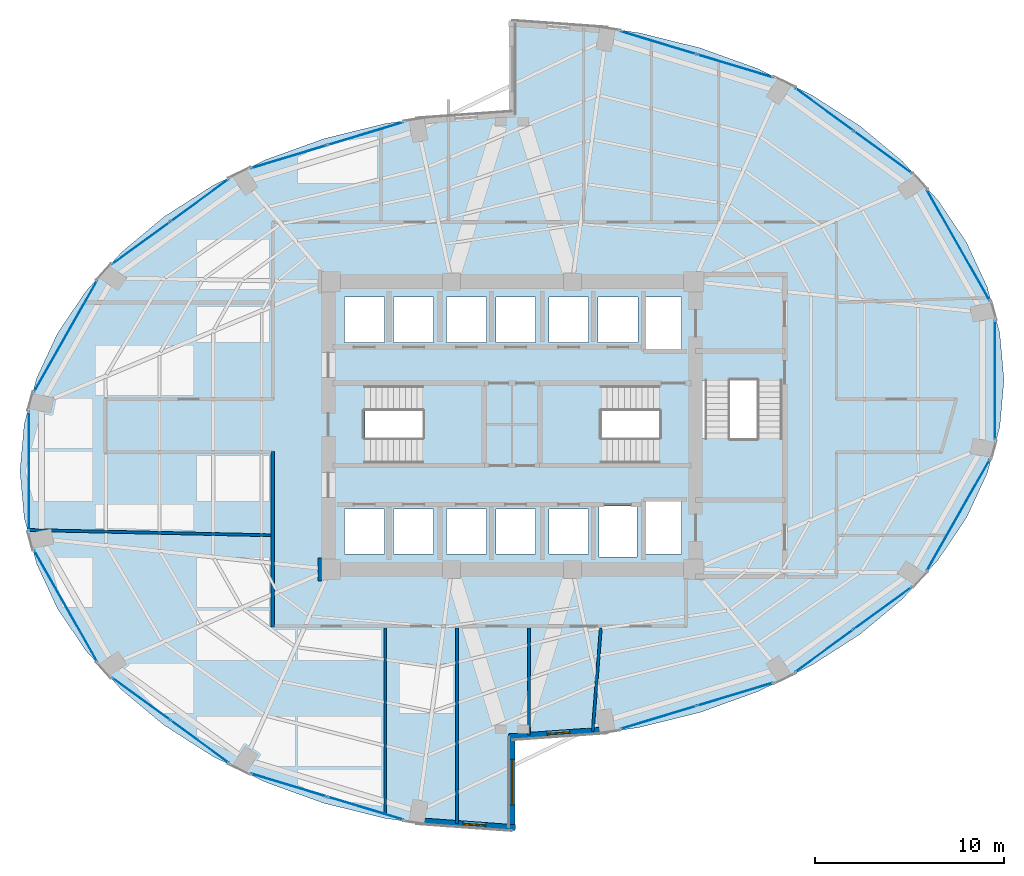
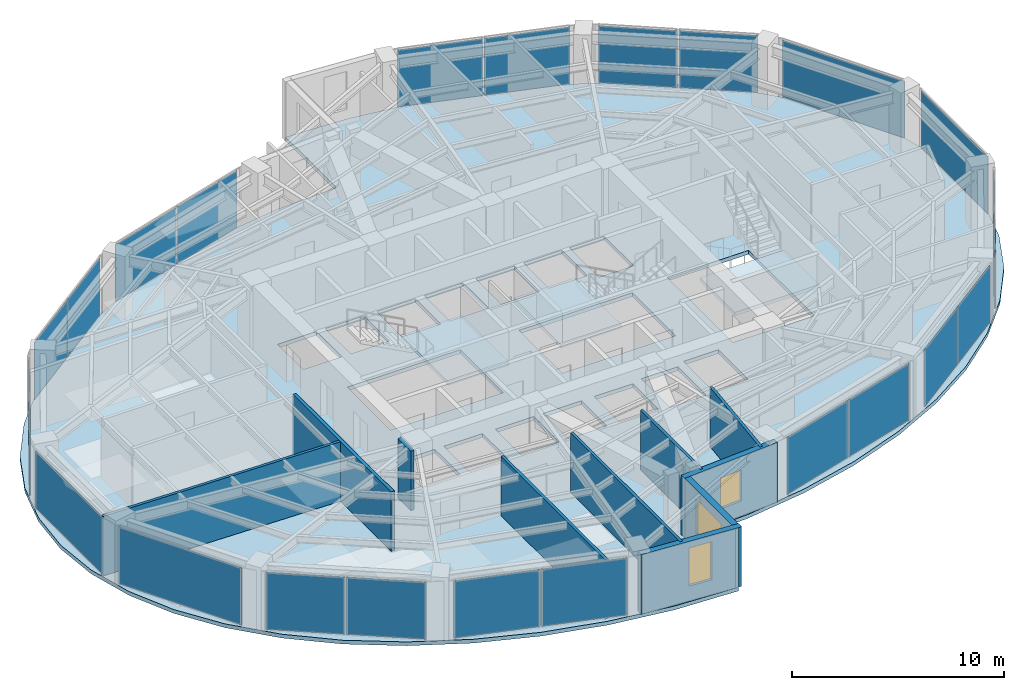
# One storey, part 18 of 23: 22 plates, 10 walls, 4 slabs, 3 windows, 3 openings, 17 elements without a shape of their own.
"""IFC4 building model written with IfcOpenShell, lengths in metres."""

from ifc_helpers import new_model, si_unit, direction, frame, frame_2d, origin, origin_2d, place, context, subcontext, project, spatial, polyline, rectangle, outline, extrude, material, layer, layer_set, type_object, element, fill, aggregate, save


model = new_model("IFC4")

# Units and contexts
model_context = context("Model", 3, precision=1e-05, world=origin(), true_north=direction((0.0, 1.0)))
body_context = subcontext(model_context, "Body", "Model", "MODEL_VIEW")
ifc_project = project(units=[si_unit("LENGTHUNIT", "METRE"), si_unit("AREAUNIT", "SQUARE_METRE"), si_unit("VOLUMEUNIT", "CUBIC_METRE"), si_unit("PLANEANGLEUNIT", "RADIAN"), si_unit("MASSUNIT", "GRAM", prefix="KILO")], contexts=[model_context])

# Site, building, storey
site_placement = place(None, origin())
site = spatial("IfcSite", under=ifc_project, at=site_placement, CompositionType="ELEMENT")
building_placement = place(site_placement, origin())
building = spatial("IfcBuilding", under=site, at=building_placement, Name="Lazwardi Medical Tower", CompositionType="ELEMENT")
storey_placement = place(building_placement, frame((0.0, 0.0, 89.0400390625)))
storey = spatial("IfcBuildingStorey", under=building, at=storey_placement, Name="L22", CompositionType="ELEMENT", Elevation=89.0400390625)

# Curtain wall, plates
ifc_material_1 = material(Name="Anodised bronze aluminium and solar control glazing", Category="aluminium")
ifc_layer_1 = layer(ifc_material_1, 0.195068359375)
ifc_layer_set_1 = layer_set([ifc_layer_1], Name="Anodised bronze aluminium and solar control glazing")
curtain_wall_type = type_object("IfcCurtainWallType", Name="CW-SYS-03", PredefinedType="NOTDEFINED", material=ifc_layer_set_1)
curtain_wall_1_placement = place(storey_placement, origin())
curtain_wall_1 = element("IfcCurtainWall", 1, at=curtain_wall_1_placement, inside=storey, type_object=curtain_wall_type, Name="L22 Unitised bronze curtain wall CW-03", PredefinedType="NOTDEFINED")
ifc_material_2 = material(Name="Low-e bronze solar control double glazing", Category="glass")
ifc_layer_2 = layer(ifc_material_2, 0.035888671875)
ifc_layer_set_2 = layer_set([ifc_layer_2], Name="Low-e bronze solar control double glazing")
plate_type = type_object("IfcPlateType", Name="PLT-GLZ-01", PredefinedType="CURTAIN_PANEL", material=ifc_layer_set_2)
plate_1_placement = place(storey_placement, frame((43.73974609375, 12.573486328125, 0.07470703125), z_axis=(0.0, 0.0, 1.0), x_axis=(0.957216170558, 0.28937381157, 0.0)))
plate_1 = element("IfcPlate", 2, at=plate_1_placement, type_object=plate_type, Name="CW-03 panel 1.1", PredefinedType="CURTAIN_PANEL", context=body_context, shape_type="SweptSolid", body=[
    extrude(rectangle(XDim=4.16552734375, YDim=0.035888671875, at=origin_2d()), origin(), (0.0, 0.0, 1.0), 3.278076171875),
])
plate_2_placement = place(storey_placement, frame((47.798828125, 13.800537109375, 0.07470703125), z_axis=(0.0, 0.0, 1.0), x_axis=(0.957216170558, 0.28937381157, 0.0)))
plate_2 = element("IfcPlate", 3, at=plate_2_placement, type_object=plate_type, Name="CW-03 panel 2.1", PredefinedType="CURTAIN_PANEL", context=body_context, shape_type="SweptSolid", body=[
    extrude(rectangle(XDim=4.16552734375, YDim=0.035888671875, at=origin_2d()), origin(), (0.0, 0.0, 1.0), 3.278076171875),
])
aggregate(curtain_wall_1, [plate_1, plate_2])

curtain_wall_2_placement = place(storey_placement, origin())
curtain_wall_2 = element("IfcCurtainWall", 4, at=curtain_wall_2_placement, inside=storey, type_object=curtain_wall_type, Name="L22 Unitised bronze curtain wall CW-03", PredefinedType="NOTDEFINED")
plate_3_placement = place(storey_placement, frame((52.4990234375, 16.093017578125, 0.07470703125), z_axis=(0.0, 0.0, 1.0), x_axis=(0.807745837639, 0.589530882802, 0.0)))
plate_3 = element("IfcPlate", 5, at=plate_3_placement, type_object=plate_type, Name="CW-03 panel 1.1", PredefinedType="CURTAIN_PANEL", context=body_context, shape_type="SweptSolid", body=[
    extrude(rectangle(XDim=3.767578125, YDim=0.035888671875, at=origin_2d()), origin(), (0.0, 0.0, 1.0), 3.278076171875),
])
plate_4_placement = place(storey_placement, frame((55.60302734375, 18.3583984375, 0.07470703125), z_axis=(0.0, 0.0, 1.0), x_axis=(0.807745837639, 0.589530882802, 0.0)))
plate_4 = element("IfcPlate", 6, at=plate_4_placement, type_object=plate_type, Name="CW-03 panel 2.1", PredefinedType="CURTAIN_PANEL", context=body_context, shape_type="SweptSolid", body=[
    extrude(rectangle(XDim=3.767578125, YDim=0.035888671875, at=origin_2d()), origin(), (0.0, 0.0, 1.0), 3.278076171875),
])
aggregate(curtain_wall_2, [plate_3, plate_4])

# Curtain wall, plate
curtain_wall_3_placement = place(storey_placement, origin())
curtain_wall_3 = element("IfcCurtainWall", 7, at=curtain_wall_3_placement, inside=storey, type_object=curtain_wall_type, Name="L22 Unitised bronze curtain wall CW-03", PredefinedType="NOTDEFINED")
plate_5_placement = place(storey_placement, frame((59.5849609375, 23.270263671875, 0.07470703125), z_axis=(0.0, 0.0, 1.0), x_axis=(0.493603140041, 0.869687265712, 0.0)))
plate_5 = element("IfcPlate", 8, at=plate_5_placement, type_object=plate_type, Name="CW-03 panel 1.1", PredefinedType="CURTAIN_PANEL", context=body_context, shape_type="SweptSolid", body=[
    extrude(rectangle(XDim=6.722900390625, YDim=0.035888671875, at=origin_2d()), origin(), (0.0, 0.0, 1.0), 3.278076171875),
])
aggregate(curtain_wall_3, [plate_5])

curtain_wall_4_placement = place(storey_placement, origin())
curtain_wall_4 = element("IfcCurtainWall", 9, at=curtain_wall_4_placement, inside=storey, type_object=curtain_wall_type, Name="L22 Unitised bronze curtain wall CW-03", PredefinedType="NOTDEFINED")
plate_6_placement = place(storey_placement, frame((61.528076171875, 30.39990234375, 0.07470703125), z_axis=(0.0, 0.0, 1.0), x_axis=(0.0, 1.0, 0.0)))
plate_6 = element("IfcPlate", 10, at=plate_6_placement, type_object=plate_type, Name="CW-03 panel 1.1", PredefinedType="CURTAIN_PANEL", context=body_context, shape_type="SweptSolid", body=[
    extrude(rectangle(XDim=6.31982421875, YDim=0.035888671875, at=origin_2d()), origin(), (0.0, 0.0, 1.0), 3.278076171875),
])
aggregate(curtain_wall_4, [plate_6])

curtain_wall_5_placement = place(storey_placement, origin())
curtain_wall_5 = element("IfcCurtainWall", 11, at=curtain_wall_5_placement, inside=storey, type_object=curtain_wall_type, Name="L22 Unitised bronze curtain wall CW-03", PredefinedType="NOTDEFINED")
plate_7_placement = place(storey_placement, frame((59.5849609375, 37.52978515625, 0.07470703125), z_axis=(0.0, 0.0, 1.0), x_axis=(-0.493603140041, 0.869687265712, 0.0)))
plate_7 = element("IfcPlate", 12, at=plate_7_placement, type_object=plate_type, Name="CW-03 panel 1.1", PredefinedType="CURTAIN_PANEL", context=body_context, shape_type="SweptSolid", body=[
    extrude(rectangle(XDim=6.722900390625, YDim=0.035888671875, at=origin_2d()), origin(), (0.0, 0.0, 1.0), 3.278076171875),
])
aggregate(curtain_wall_5, [plate_7])

# Curtain wall, plates
curtain_wall_6_placement = place(storey_placement, origin())
curtain_wall_6 = element("IfcCurtainWall", 13, at=curtain_wall_6_placement, inside=storey, type_object=curtain_wall_type, Name="L22 Unitised bronze curtain wall CW-03", PredefinedType="NOTDEFINED")
plate_8_placement = place(storey_placement, frame((55.60302734375, 42.441650390625, 0.07470703125), z_axis=(0.0, 0.0, 1.0), x_axis=(-0.807745837639, 0.589530882802, 0.0)))
plate_8 = element("IfcPlate", 14, at=plate_8_placement, type_object=plate_type, Name="CW-03 panel 1.1", PredefinedType="CURTAIN_PANEL", context=body_context, shape_type="SweptSolid", body=[
    extrude(rectangle(XDim=3.767578125, YDim=0.035888671875, at=origin_2d()), origin(), (0.0, 0.0, 1.0), 3.278076171875),
])
plate_9_placement = place(storey_placement, frame((52.4990234375, 44.70703125, 0.07470703125), z_axis=(0.0, 0.0, 1.0), x_axis=(-0.807745837639, 0.589530882802, 0.0)))
plate_9 = element("IfcPlate", 15, at=plate_9_placement, type_object=plate_type, Name="CW-03 panel 2.1", PredefinedType="CURTAIN_PANEL", context=body_context, shape_type="SweptSolid", body=[
    extrude(rectangle(XDim=3.767578125, YDim=0.035888671875, at=origin_2d()), origin(), (0.0, 0.0, 1.0), 3.278076171875),
])
aggregate(curtain_wall_6, [plate_8, plate_9])

curtain_wall_7_placement = place(storey_placement, origin())
curtain_wall_7 = element("IfcCurtainWall", 16, at=curtain_wall_7_placement, inside=storey, type_object=curtain_wall_type, Name="L22 Unitised bronze curtain wall CW-03", PredefinedType="NOTDEFINED")
plate_10_placement = place(storey_placement, frame((47.798828125, 46.99951171875, 0.07470703125), z_axis=(0.0, 0.0, 1.0), x_axis=(-0.957216170558, 0.28937381157, 0.0)))
plate_10 = element("IfcPlate", 17, at=plate_10_placement, type_object=plate_type, Name="CW-03 panel 1.1", PredefinedType="CURTAIN_PANEL", context=body_context, shape_type="SweptSolid", body=[
    extrude(rectangle(XDim=4.16552734375, YDim=0.035888671875, at=origin_2d()), origin(), (0.0, 0.0, 1.0), 3.278076171875),
])
plate_11_placement = place(storey_placement, frame((43.73974609375, 48.2265625, 0.07470703125), z_axis=(0.0, 0.0, 1.0), x_axis=(-0.957216170558, 0.28937381157, 0.0)))
plate_11 = element("IfcPlate", 18, at=plate_11_placement, type_object=plate_type, Name="CW-03 panel 2.1", PredefinedType="CURTAIN_PANEL", context=body_context, shape_type="SweptSolid", body=[
    extrude(rectangle(XDim=4.16552734375, YDim=0.035888671875, at=origin_2d()), origin(), (0.0, 0.0, 1.0), 3.278076171875),
])
aggregate(curtain_wall_7, [plate_10, plate_11])

curtain_wall_8_placement = place(storey_placement, origin())
curtain_wall_8 = element("IfcCurtainWall", 19, at=curtain_wall_8_placement, inside=storey, type_object=curtain_wall_type, Name="L22 Unitised bronze curtain wall CW-03", PredefinedType="NOTDEFINED")
plate_12_placement = place(storey_placement, frame((28.26025390625, 43.426513671875, 0.07470703125), z_axis=(0.0, 0.0, 1.0), x_axis=(-0.957216170558, -0.28937381157, 0.0)))
plate_12 = element("IfcPlate", 20, at=plate_12_placement, type_object=plate_type, Name="CW-03 panel 1.1", PredefinedType="CURTAIN_PANEL", context=body_context, shape_type="SweptSolid", body=[
    extrude(rectangle(XDim=4.16552734375, YDim=0.035888671875, at=origin_2d()), origin(), (0.0, 0.0, 1.0), 3.278076171875),
])
plate_13_placement = place(storey_placement, frame((24.201171875, 42.199462890625, 0.07470703125), z_axis=(0.0, 0.0, 1.0), x_axis=(-0.957216170558, -0.28937381157, 0.0)))
plate_13 = element("IfcPlate", 21, at=plate_13_placement, type_object=plate_type, Name="CW-03 panel 2.1", PredefinedType="CURTAIN_PANEL", context=body_context, shape_type="SweptSolid", body=[
    extrude(rectangle(XDim=4.16552734375, YDim=0.035888671875, at=origin_2d()), origin(), (0.0, 0.0, 1.0), 3.278076171875),
])
aggregate(curtain_wall_8, [plate_12, plate_13])

curtain_wall_9_placement = place(storey_placement, origin())
curtain_wall_9 = element("IfcCurtainWall", 22, at=curtain_wall_9_placement, inside=storey, type_object=curtain_wall_type, Name="L22 Unitised bronze curtain wall CW-03", PredefinedType="NOTDEFINED")
plate_14_placement = place(storey_placement, frame((19.5009765625, 39.906982421875, 0.07470703125), z_axis=(0.0, 0.0, 1.0), x_axis=(-0.807745837639, -0.589530882802, 0.0)))
plate_14 = element("IfcPlate", 23, at=plate_14_placement, type_object=plate_type, Name="CW-03 panel 1.1", PredefinedType="CURTAIN_PANEL", context=body_context, shape_type="SweptSolid", body=[
    extrude(rectangle(XDim=3.767578125, YDim=0.035888671875, at=origin_2d()), origin(), (0.0, 0.0, 1.0), 3.278076171875),
])
plate_15_placement = place(storey_placement, frame((16.39697265625, 37.6416015625, 0.07470703125), z_axis=(0.0, 0.0, 1.0), x_axis=(-0.807745837639, -0.589530882802, 0.0)))
plate_15 = element("IfcPlate", 24, at=plate_15_placement, type_object=plate_type, Name="CW-03 panel 2.1", PredefinedType="CURTAIN_PANEL", context=body_context, shape_type="SweptSolid", body=[
    extrude(rectangle(XDim=3.767578125, YDim=0.035888671875, at=origin_2d()), origin(), (0.0, 0.0, 1.0), 3.278076171875),
])
aggregate(curtain_wall_9, [plate_14, plate_15])

# Curtain wall, plate
curtain_wall_10_placement = place(storey_placement, origin())
curtain_wall_10 = element("IfcCurtainWall", 25, at=curtain_wall_10_placement, inside=storey, type_object=curtain_wall_type, Name="L22 Unitised bronze curtain wall CW-03", PredefinedType="NOTDEFINED")
plate_16_placement = place(storey_placement, frame((12.4150390625, 32.729736328125, 0.07470703125), z_axis=(0.0, 0.0, 1.0), x_axis=(-0.493603140041, -0.869687265712, 0.0)))
plate_16 = element("IfcPlate", 26, at=plate_16_placement, type_object=plate_type, Name="CW-03 panel 1.1", PredefinedType="CURTAIN_PANEL", context=body_context, shape_type="SweptSolid", body=[
    extrude(rectangle(XDim=6.722900390625, YDim=0.035888671875, at=origin_2d()), origin(), (0.0, 0.0, 1.0), 3.278076171875),
])
aggregate(curtain_wall_10, [plate_16])

curtain_wall_11_placement = place(storey_placement, origin())
curtain_wall_11 = element("IfcCurtainWall", 27, at=curtain_wall_11_placement, inside=storey, type_object=curtain_wall_type, Name="L22 Unitised bronze curtain wall CW-03", PredefinedType="NOTDEFINED")
plate_17_placement = place(storey_placement, frame((10.471923828125, 25.60009765625, 0.07470703125), z_axis=(0.0, 0.0, 1.0), x_axis=(0.0, -1.0, 0.0)))
plate_17 = element("IfcPlate", 28, at=plate_17_placement, type_object=plate_type, Name="CW-03 panel 1.1", PredefinedType="CURTAIN_PANEL", context=body_context, shape_type="SweptSolid", body=[
    extrude(rectangle(XDim=6.31982421875, YDim=0.035888671875, at=origin_2d()), origin(), (0.0, 0.0, 1.0), 3.278076171875),
])
aggregate(curtain_wall_11, [plate_17])

curtain_wall_12_placement = place(storey_placement, origin())
curtain_wall_12 = element("IfcCurtainWall", 29, at=curtain_wall_12_placement, inside=storey, type_object=curtain_wall_type, Name="L22 Unitised bronze curtain wall CW-03", PredefinedType="NOTDEFINED")
plate_18_placement = place(storey_placement, frame((12.4150390625, 18.47021484375, 0.07470703125), z_axis=(0.0, 0.0, 1.0), x_axis=(0.493603140041, -0.869687265712, 0.0)))
plate_18 = element("IfcPlate", 30, at=plate_18_placement, type_object=plate_type, Name="CW-03 panel 1.1", PredefinedType="CURTAIN_PANEL", context=body_context, shape_type="SweptSolid", body=[
    extrude(rectangle(XDim=6.722900390625, YDim=0.035888671875, at=origin_2d()), origin(), (0.0, 0.0, 1.0), 3.278076171875),
])
aggregate(curtain_wall_12, [plate_18])

# Curtain wall, plates
curtain_wall_13_placement = place(storey_placement, origin())
curtain_wall_13 = element("IfcCurtainWall", 31, at=curtain_wall_13_placement, inside=storey, type_object=curtain_wall_type, Name="L22 Unitised bronze curtain wall CW-03", PredefinedType="NOTDEFINED")
plate_19_placement = place(storey_placement, frame((16.39697265625, 13.558349609375, 0.07470703125), z_axis=(0.0, 0.0, 1.0), x_axis=(0.807745837639, -0.589530882802, 0.0)))
plate_19 = element("IfcPlate", 32, at=plate_19_placement, type_object=plate_type, Name="CW-03 panel 1.1", PredefinedType="CURTAIN_PANEL", context=body_context, shape_type="SweptSolid", body=[
    extrude(rectangle(XDim=3.767578125, YDim=0.035888671875, at=origin_2d()), origin(), (0.0, 0.0, 1.0), 3.278076171875),
])
plate_20_placement = place(storey_placement, frame((19.5009765625, 11.29296875, 0.07470703125), z_axis=(0.0, 0.0, 1.0), x_axis=(0.807745837639, -0.589530882802, 0.0)))
plate_20 = element("IfcPlate", 33, at=plate_20_placement, type_object=plate_type, Name="CW-03 panel 2.1", PredefinedType="CURTAIN_PANEL", context=body_context, shape_type="SweptSolid", body=[
    extrude(rectangle(XDim=3.767578125, YDim=0.035888671875, at=origin_2d()), origin(), (0.0, 0.0, 1.0), 3.278076171875),
])
aggregate(curtain_wall_13, [plate_19, plate_20])

curtain_wall_14_placement = place(storey_placement, origin())
curtain_wall_14 = element("IfcCurtainWall", 34, at=curtain_wall_14_placement, inside=storey, type_object=curtain_wall_type, Name="L22 Unitised bronze curtain wall CW-03", PredefinedType="NOTDEFINED")
plate_21_placement = place(storey_placement, frame((24.201171875, 9.00048828125, 0.07470703125), z_axis=(0.0, 0.0, 1.0), x_axis=(0.957216170558, -0.28937381157, 0.0)))
plate_21 = element("IfcPlate", 35, at=plate_21_placement, type_object=plate_type, Name="CW-03 panel 1.1", PredefinedType="CURTAIN_PANEL", context=body_context, shape_type="SweptSolid", body=[
    extrude(rectangle(XDim=4.16552734375, YDim=0.035888671875, at=origin_2d()), origin(), (0.0, 0.0, 1.0), 3.278076171875),
])
plate_22_placement = place(storey_placement, frame((28.26025390625, 7.7734375, 0.07470703125), z_axis=(0.0, 0.0, 1.0), x_axis=(0.957216170558, -0.28937381157, 0.0)))
plate_22 = element("IfcPlate", 36, at=plate_22_placement, type_object=plate_type, Name="CW-03 panel 2.1", PredefinedType="CURTAIN_PANEL", context=body_context, shape_type="SweptSolid", body=[
    extrude(rectangle(XDim=4.16552734375, YDim=0.035888671875, at=origin_2d()), origin(), (0.0, 0.0, 1.0), 3.278076171875),
])
aggregate(curtain_wall_14, [plate_21, plate_22])

# Stair, slab
ifc_material_3 = material(Name="Concrete C45/55", Category="concrete")
stair_type = type_object("IfcStairType", Name="STR-WRD", PredefinedType="HALF_TURN_STAIR", material=ifc_material_3)
stair_1_placement = place(storey_placement, origin())
stair_1 = element("IfcStair", 37, at=stair_1_placement, inside=storey, type_object=stair_type, Name="L22 Protected Exit Stair ST1", PredefinedType="HALF_TURN_STAIR")
ifc_layer_3 = layer(ifc_material_3, 0.199951171875)
ifc_layer_set_3 = layer_set([ifc_layer_3], Name="Concrete C45/55")
slab_type_1 = type_object("IfcSlabType", Name="SLB-LND-190", PredefinedType="LANDING", material=ifc_layer_set_3)
slab_1_placement = place(storey_placement, frame((0.0, 0.0, 1.6240234375)))
slab_1 = element("IfcSlab", 38, at=slab_1_placement, type_object=slab_type_1, Name="ST1 landing 1", PredefinedType="LANDING", context=body_context, shape_type="SweptSolid", body=[
    extrude(outline(polyline([(31.27490234375, 25.840087890625), (34.580078125, 25.840087890625), (34.580078125, 30.280029296875), (31.27490234375, 30.280029296875), (31.27490234375, 25.840087890625)])), origin(), (0.0, 0.0, 1.0), 0.199951171875),
])
aggregate(stair_1, [slab_1])

stair_2_placement = place(storey_placement, origin())
stair_2 = element("IfcStair", 39, at=stair_2_placement, inside=storey, type_object=stair_type, Name="L22 Protected Exit Stair ST2", PredefinedType="HALF_TURN_STAIR")
slab_2_placement = place(storey_placement, frame((0.0, 0.0, 1.6240234375)))
slab_2 = element("IfcSlab", 40, at=slab_2_placement, type_object=slab_type_1, Name="ST2 landing 1", PredefinedType="LANDING", context=body_context, shape_type="SweptSolid", body=[
    extrude(outline(polyline([(40.72509765625, 30.280029296875), (37.419921875, 30.280029296875), (37.419921875, 25.840087890625), (40.72509765625, 25.840087890625), (40.72509765625, 30.280029296875)])), origin(), (0.0, 0.0, 1.0), 0.199951171875),
])
aggregate(stair_2, [slab_2])

stair_3_placement = place(storey_placement, origin())
stair_3 = element("IfcStair", 41, at=stair_3_placement, inside=storey, type_object=stair_type, Name="L22 Protected Exit Stair ST3", PredefinedType="HALF_TURN_STAIR")
slab_3_placement = place(storey_placement, frame((0.0, 0.0, 1.6240234375)))
slab_3 = element("IfcSlab", 42, at=slab_3_placement, type_object=slab_type_1, Name="ST3 landing 1", PredefinedType="LANDING", context=body_context, shape_type="SweptSolid", body=[
    extrude(outline(polyline([(45.860107421875, 27.324951171875), (45.860107421875, 24.02001953125), (50.4599609375, 24.02001953125), (50.4599609375, 27.324951171875), (45.860107421875, 27.324951171875)])), origin(), (0.0, 0.0, 1.0), 0.199951171875),
])
aggregate(stair_3, [slab_3])

# Slab
ifc_material_4 = material(Name="Concrete C50/60", Category="concrete")
ifc_layer_4 = layer(ifc_material_4, 0.219970703125)
ifc_layer_set_4 = layer_set([ifc_layer_4], Name="Concrete C50/60")
slab_type_2 = type_object("IfcSlabType", Name="SLB-WRD-220", PredefinedType="FLOOR", material=ifc_layer_set_4)
slab_4_placement = place(storey_placement, frame((0.0, 0.0, -0.219970703125)))
element("IfcSlab", 43, at=slab_4_placement, inside=storey, type_object=slab_type_2, Name="Structural floor slab SF-03 L22", PredefinedType="FLOOR", context=body_context, shape_type="SweptSolid", body=[
    extrude(outline(polyline([(11.97900390625, 32.87109375), (10.885986328125, 30.517578125), (10.222412109375, 28.080078125), (10.0, 25.60009765625), (10.222412109375, 23.1201171875), (10.885986328125, 20.682373046875), (11.97900390625, 18.3291015625), (13.4833984375, 16.10009765625), (15.372802734375, 14.033447265625), (17.615234375, 12.1650390625), (20.172119140625, 10.5263671875), (23.0, 9.1455078125), (26.05029296875, 8.04638671875), (29.270751953125, 7.247314453125), (32.606201171875, 6.762451171875), (36.0, 6.60009765625), (36.0, 11.39990234375), (39.393798828125, 11.5625), (42.729248046875, 12.04736328125), (45.94970703125, 12.84619140625), (49.0, 13.945556640625), (51.827880859375, 15.326416015625), (54.384765625, 16.965087890625), (56.627197265625, 18.83349609375), (58.5166015625, 20.89990234375), (60.02099609375, 23.12890625), (61.114013671875, 25.482421875), (61.777587890625, 27.919921875), (62.0, 30.39990234375), (61.777587890625, 32.8798828125), (61.114013671875, 35.317626953125), (60.02099609375, 37.6708984375), (58.5166015625, 39.89990234375), (56.627197265625, 41.966552734375), (54.384765625, 43.8349609375), (51.827880859375, 45.4736328125), (49.0, 46.8544921875), (45.94970703125, 47.95361328125), (42.729248046875, 48.752685546875), (39.393798828125, 49.237548828125), (36.0, 49.39990234375), (36.0, 44.60009765625), (32.606201171875, 44.4375), (29.270751953125, 43.95263671875), (26.05029296875, 43.15380859375), (23.0, 42.054443359375), (20.172119140625, 40.673583984375), (17.615234375, 39.034912109375), (15.372802734375, 37.16650390625), (13.4833984375, 35.10009765625), (11.97900390625, 32.87109375)]), holes=[polyline([(28.22509765625, 26.02001953125), (28.22509765625, 30.10009765625), (34.39990234375, 30.10009765625), (34.39990234375, 26.02001953125), (28.22509765625, 26.02001953125)]), polyline([(37.60009765625, 30.10009765625), (43.77490234375, 30.10009765625), (43.77490234375, 26.02001953125), (37.60009765625, 26.02001953125), (37.60009765625, 30.10009765625)]), polyline([(50.280029296875, 30.375), (50.280029296875, 24.179931640625), (45.840087890625, 24.179931640625), (45.840087890625, 30.375), (50.280029296875, 30.375)]), polyline([(29.25, 32.39990234375), (27.14990234375, 32.39990234375), (27.14990234375, 34.800048828125), (29.25, 34.800048828125), (29.25, 32.39990234375)]), polyline([(29.75, 32.39990234375), (29.75, 34.800048828125), (31.85009765625, 34.800048828125), (31.85009765625, 32.39990234375), (29.75, 32.39990234375)]), polyline([(27.14990234375, 23.60009765625), (29.25, 23.60009765625), (29.25, 21.199951171875), (27.14990234375, 21.199951171875), (27.14990234375, 23.60009765625)]), polyline([(31.85009765625, 23.60009765625), (31.85009765625, 21.199951171875), (29.75, 21.199951171875), (29.75, 23.60009765625), (31.85009765625, 23.60009765625)]), polyline([(34.64990234375, 32.39990234375), (32.550048828125, 32.39990234375), (32.550048828125, 34.800048828125), (34.64990234375, 34.800048828125), (34.64990234375, 32.39990234375)]), polyline([(35.14990234375, 32.39990234375), (35.14990234375, 34.800048828125), (37.25, 34.800048828125), (37.25, 32.39990234375), (35.14990234375, 32.39990234375)]), polyline([(32.550048828125, 23.60009765625), (34.64990234375, 23.60009765625), (34.64990234375, 21.199951171875), (32.550048828125, 21.199951171875), (32.550048828125, 23.60009765625)]), polyline([(37.25, 23.60009765625), (37.25, 21.199951171875), (35.14990234375, 21.199951171875), (35.14990234375, 23.60009765625), (37.25, 23.60009765625)]), polyline([(40.050048828125, 32.39990234375), (37.949951171875, 32.39990234375), (37.949951171875, 34.800048828125), (40.050048828125, 34.800048828125), (40.050048828125, 32.39990234375)]), polyline([(40.550048828125, 32.39990234375), (40.550048828125, 34.800048828125), (42.64990234375, 34.800048828125), (42.64990234375, 32.39990234375), (40.550048828125, 32.39990234375)]), polyline([(37.949951171875, 23.60009765625), (40.050048828125, 23.60009765625), (40.050048828125, 21.199951171875), (37.949951171875, 21.199951171875), (37.949951171875, 23.60009765625)]), polyline([(44.949951171875, 34.800048828125), (44.949951171875, 32.0), (43.050048828125, 32.0), (43.050048828125, 34.800048828125), (44.949951171875, 34.800048828125)]), polyline([(44.949951171875, 21.199951171875), (43.050048828125, 21.199951171875), (43.050048828125, 24.0), (44.949951171875, 24.0), (44.949951171875, 21.199951171875)]), polyline([(40.60009765625, 21.050048828125), (40.60009765625, 23.75), (42.60009765625, 23.75), (42.60009765625, 21.050048828125), (40.60009765625, 21.050048828125)])]), origin(), (0.0, 0.0, 1.0), 0.219970703125),
])

# Walls
ifc_material_5 = material(Name="Fire-rated gypsum board on steel stud", Category="steel")
ifc_layer_5 = layer(ifc_material_5, 0.179931640625)
ifc_layer_set_5 = layer_set([ifc_layer_5], Name="Fire-rated gypsum board on steel stud")
wall_type_1 = type_object("IfcWallType", Name="WL-COR-180", PredefinedType="PARTITIONING", material=ifc_layer_set_5)
wall_1_placement = place(storey_placement, frame((25.830078125, 21.010009765625, 0.0), z_axis=(0.0, 0.0, 1.0), x_axis=(0.0, -1.0, 0.0)))
element("IfcWall", 44, at=wall_1_placement, inside=storey, type_object=wall_type_1, Name="L22 Corridor partition 12", PredefinedType="PARTITIONING", context=body_context, shape_type="SweptSolid", body=[
    extrude(rectangle(XDim=1.219970703125, YDim=0.179931640625, at=frame_2d((0.60986328125, 0.0))), origin(), (0.0, 0.0, 1.0), 3.427978515625),
])
wall_2_placement = place(storey_placement, frame((23.35009765625, 17.360107421875, 0.0), z_axis=(0.0, 0.0, 1.0), x_axis=(0.0, 1.0, 0.0)))
element("IfcWall", 45, at=wall_2_placement, inside=storey, type_object=wall_type_1, Name="L22 Corridor partition 15", PredefinedType="PARTITIONING", context=body_context, shape_type="SweptSolid", body=[
    extrude(rectangle(XDim=9.27978515625, YDim=0.179931640625, at=frame_2d((4.639892578125, 0.0))), origin(), (0.0, 0.0, 1.0), 3.427978515625),
])

# Wall, opening, window
ifc_material_6 = material(Name="Precast concrete C45/55", Category="concrete")
ifc_layer_6 = layer(ifc_material_6, 0.320068359375)
ifc_layer_set_6 = layer_set([ifc_layer_6], Name="Precast concrete C45/55")
wall_type_2 = type_object("IfcWallType", Name="WL-IWAN-320", PredefinedType="SOLIDWALL", material=ifc_layer_set_6)
wall_3_placement = place(storey_placement, frame((35.820556640625, 11.547119140625, 0.0), z_axis=(0.0, 0.0, 1.0), x_axis=(0.997432364291, 0.071614793619, 0.0)))
wall_3 = element("IfcWall", 46, at=wall_3_placement, inside=storey, type_object=wall_type_2, Name="L22 Iwan Portal Return Wall SE_ret", PredefinedType="SOLIDWALL", context=body_context, shape_type="SweptSolid", body=[
    extrude(rectangle(XDim=5.2841796875, YDim=0.320068359375, at=frame_2d((2.64208984375, 0.0))), origin(), (0.0, 0.0, 1.0), 3.427978515625),
])
opening_1_placement = place(wall_3_placement, frame((2.0419921875, 0.0, 0.85009765625)))
opening_1 = element("IfcOpeningElement", 47, at=opening_1_placement, cuts=wall_3, Name="Opening WN-04", PredefinedType="OPENING", context=body_context, shape_type="SweptSolid", body=[
    extrude(rectangle(XDim=1.199951171875, YDim=1.800048828125, at=frame_2d((0.60009765625, 0.89990234375))), frame((0.0, 0.169921875, 0.0), z_axis=(0.0, -1.0, 0.0), x_axis=(1.0, 0.0, 0.0)), (0.0, 0.0, 1.0), 0.340087890625),
])
window_type_1 = type_object("IfcWindowType", Name="WIN-DRUM-1200", PartitioningType="SINGLE_PANEL", PredefinedType="WINDOW", material=ifc_material_2)
window_1_placement = place(opening_1_placement, origin())
window_1 = element("IfcWindow", 48, at=window_1_placement, inside=storey, type_object=window_type_1, Name="L22 Iwan Slot Window SE_ret", OverallHeight=1.800048828125, OverallWidth=1.199951171875, PartitioningType="SINGLE_PANEL", PredefinedType="WINDOW", context=body_context, shape_type="SweptSolid", body=[
    extrude(rectangle(XDim=1.199951171875, YDim=1.800048828125, at=frame_2d((0.60009765625, 0.89990234375))), frame((0.0, 0.030029296875, 0.0), z_axis=(0.0, -1.0, 0.0), x_axis=(1.0, 0.0, 0.0)), (0.0, 0.0, 1.0), 0.06005859375),
])
fill(opening_1, window_1)

wall_4_placement = place(storey_placement, frame((30.908935546875, 7.12548828125, 0.0), z_axis=(0.0, 0.0, 1.0), x_axis=(0.997431890304, -0.071621394884, 0.0)))
wall_4 = element("IfcWall", 49, at=wall_4_placement, inside=storey, type_object=wall_type_2, Name="L22 Iwan Portal Return Wall SW_ret", PredefinedType="SOLIDWALL", context=body_context, shape_type="SweptSolid", body=[
    extrude(rectangle(XDim=5.28369140625, YDim=0.320068359375, at=frame_2d((2.641845703125, 0.0))), origin(), (0.0, 0.0, 1.0), 3.427978515625),
])
opening_2_placement = place(wall_4_placement, frame((2.51123046875, 0.0, 0.85009765625)))
opening_2 = element("IfcOpeningElement", 50, at=opening_2_placement, cuts=wall_4, Name="Opening WN-01", PredefinedType="OPENING", context=body_context, shape_type="SweptSolid", body=[
    extrude(rectangle(XDim=1.199951171875, YDim=2.199951171875, at=frame_2d((0.60009765625, 1.10009765625))), frame((0.0, 0.169921875, 0.0), z_axis=(0.0, -1.0, 0.0), x_axis=(1.0, 0.0, 0.0)), (0.0, 0.0, 1.0), 0.340087890625),
])
window_type_2 = type_object("IfcWindowType", Name="WIN-IW-1200", PartitioningType="SINGLE_PANEL", PredefinedType="WINDOW", material=ifc_material_2)
window_2_placement = place(opening_2_placement, origin())
window_2 = element("IfcWindow", 51, at=window_2_placement, inside=storey, type_object=window_type_2, Name="L22 Iwan Slot Window SW_ret", OverallHeight=2.199951171875, OverallWidth=1.199951171875, PartitioningType="SINGLE_PANEL", PredefinedType="WINDOW", context=body_context, shape_type="SweptSolid", body=[
    extrude(rectangle(XDim=1.199951171875, YDim=2.199951171875, at=frame_2d((0.60009765625, 1.10009765625))), frame((0.0, 0.030029296875, 0.0), z_axis=(0.0, -1.0, 0.0), x_axis=(1.0, 0.0, 0.0)), (0.0, 0.0, 1.0), 0.06005859375),
])
fill(opening_2, window_2)

wall_5_placement = place(storey_placement, frame((36.0, 6.60009765625, 0.0), z_axis=(0.0, 0.0, 1.0), x_axis=(0.0, 1.0, 0.0)))
wall_5 = element("IfcWall", 52, at=wall_5_placement, inside=storey, type_object=wall_type_2, Name="L22 Turquoise Tilework Iwan Seam Wall S_seam", PredefinedType="SOLIDWALL", context=body_context, shape_type="SweptSolid", body=[
    extrude(rectangle(XDim=5.119873046875, YDim=0.320068359375, at=frame_2d((2.56005859375, 0.0))), origin(), (0.0, 0.0, 1.0), 3.427978515625),
])
opening_3_placement = place(wall_5_placement, frame((1.360107421875, 0.0, 0.840087890625)))
opening_3 = element("IfcOpeningElement", 53, at=opening_3_placement, cuts=wall_5, Name="Opening WN-02", PredefinedType="OPENING", context=body_context, shape_type="SweptSolid", body=[
    extrude(rectangle(XDim=2.39990234375, YDim=2.0400390625, at=frame_2d((1.199951171875, 1.02001953125))), frame((0.0, 0.169921875, 0.0), z_axis=(0.0, -1.0, 0.0), x_axis=(1.0, 0.0, 0.0)), (0.0, 0.0, 1.0), 0.340087890625),
])
window_type_3 = type_object("IfcWindowType", Name="WIN-IW-2400", PartitioningType="SINGLE_PANEL", PredefinedType="WINDOW", material=ifc_material_2)
window_3_placement = place(opening_3_placement, origin())
window_3 = element("IfcWindow", 54, at=window_3_placement, inside=storey, type_object=window_type_3, Name="L22 Iwan Seam Window S_seam", OverallHeight=2.0400390625, OverallWidth=2.39990234375, PartitioningType="SINGLE_PANEL", PredefinedType="WINDOW", context=body_context, shape_type="SweptSolid", body=[
    extrude(rectangle(XDim=2.39990234375, YDim=2.0400390625, at=frame_2d((1.199951171875, 1.02001953125))), frame((0.0, 0.030029296875, 0.0), z_axis=(0.0, -1.0, 0.0), x_axis=(1.0, 0.0, 0.0)), (0.0, 0.0, 1.0), 0.06005859375),
])
fill(opening_3, window_3)

# Walls
ifc_material_7 = material(Name="Acoustic gypsum board partition")
ifc_layer_7 = layer(ifc_material_7, 0.14990234375)
ifc_layer_set_7 = layer_set([ifc_layer_7], Name="Acoustic gypsum board partition")
wall_type_3 = type_object("IfcWallType", Name="WL-WRD-150", PredefinedType="PARTITIONING", material=ifc_layer_set_7)
wall_6_placement = place(storey_placement, frame((10.46533203125, 22.47900390625, 0.0), z_axis=(0.0, 0.0, 1.0), x_axis=(0.999765147572, -0.021671402821, 0.0)))
element("IfcWall", 55, at=wall_6_placement, inside=storey, type_object=wall_type_3, Name="L22 Room partition 1", PredefinedType="PARTITIONING", context=body_context, shape_type="SweptSolid", body=[
    extrude(rectangle(XDim=12.797607421875, YDim=0.14990234375, at=frame_2d((6.39892578125, 0.0))), origin(), (0.0, 0.0, 1.0), 3.427978515625),
])
wall_7_placement = place(storey_placement, frame((29.300048828125, 7.47314453125, 0.0), z_axis=(0.0, 0.0, 1.0), x_axis=(0.0, 1.0, 0.0)))
element("IfcWall", 56, at=wall_7_placement, inside=storey, type_object=wall_type_3, Name="L22 Room partition 10", PredefinedType="PARTITIONING", context=body_context, shape_type="SweptSolid", body=[
    extrude(rectangle(XDim=9.8369140625, YDim=0.14990234375, at=frame_2d((4.91845703125, 0.0))), origin(), (0.0, 0.0, 1.0), 3.427978515625),
])
wall_8_placement = place(storey_placement, frame((33.10009765625, 6.970703125, 0.0), z_axis=(0.0, 0.0, 1.0), x_axis=(0.0, 1.0, 0.0)))
element("IfcWall", 57, at=wall_8_placement, inside=storey, type_object=wall_type_3, Name="L22 Room partition 11", PredefinedType="PARTITIONING", context=body_context, shape_type="SweptSolid", body=[
    extrude(rectangle(XDim=10.33935546875, YDim=0.14990234375, at=frame_2d((5.169677734375, 0.0))), origin(), (0.0, 0.0, 1.0), 3.427978515625),
])
wall_9_placement = place(storey_placement, frame((36.89990234375, 11.6494140625, 0.0), z_axis=(0.0, 0.0, 1.0), x_axis=(0.0, 1.0, 0.0)))
element("IfcWall", 58, at=wall_9_placement, inside=storey, type_object=wall_type_3, Name="L22 Room partition 12", PredefinedType="PARTITIONING", context=body_context, shape_type="SweptSolid", body=[
    extrude(rectangle(XDim=5.66064453125, YDim=0.14990234375, at=frame_2d((2.830322265625, 0.0))), origin(), (0.0, 0.0, 1.0), 3.427978515625),
])
wall_10_placement = place(storey_placement, frame((40.264892578125, 11.83837890625, 0.0), z_axis=(0.0, 0.0, 1.0), x_axis=(0.078196446306, 0.996937969878, 0.0)))
element("IfcWall", 59, at=wall_10_placement, inside=storey, type_object=wall_type_3, Name="L22 Room partition 13", PredefinedType="PARTITIONING", context=body_context, shape_type="SweptSolid", body=[
    extrude(rectangle(XDim=5.48876953125, YDim=0.14990234375, at=frame_2d((2.744384765625, 0.0))), origin(), (0.0, 0.0, 1.0), 3.427978515625),
])

save(model, "model.ifc")
